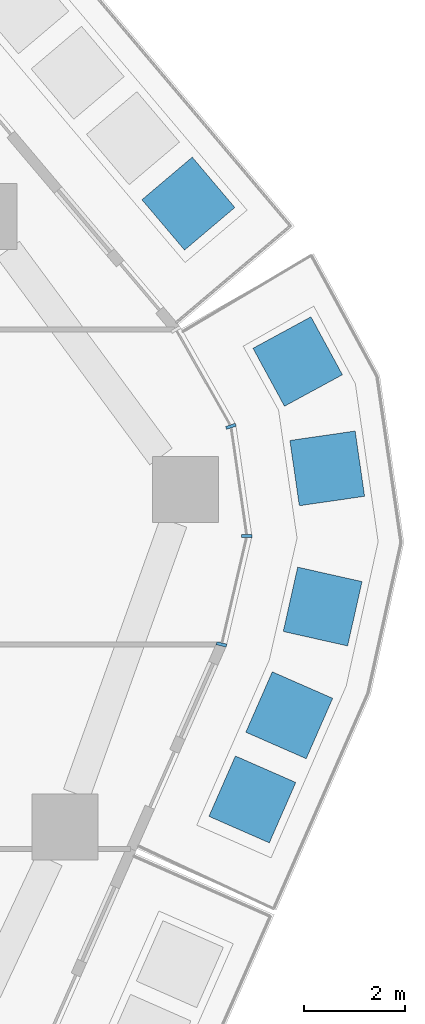
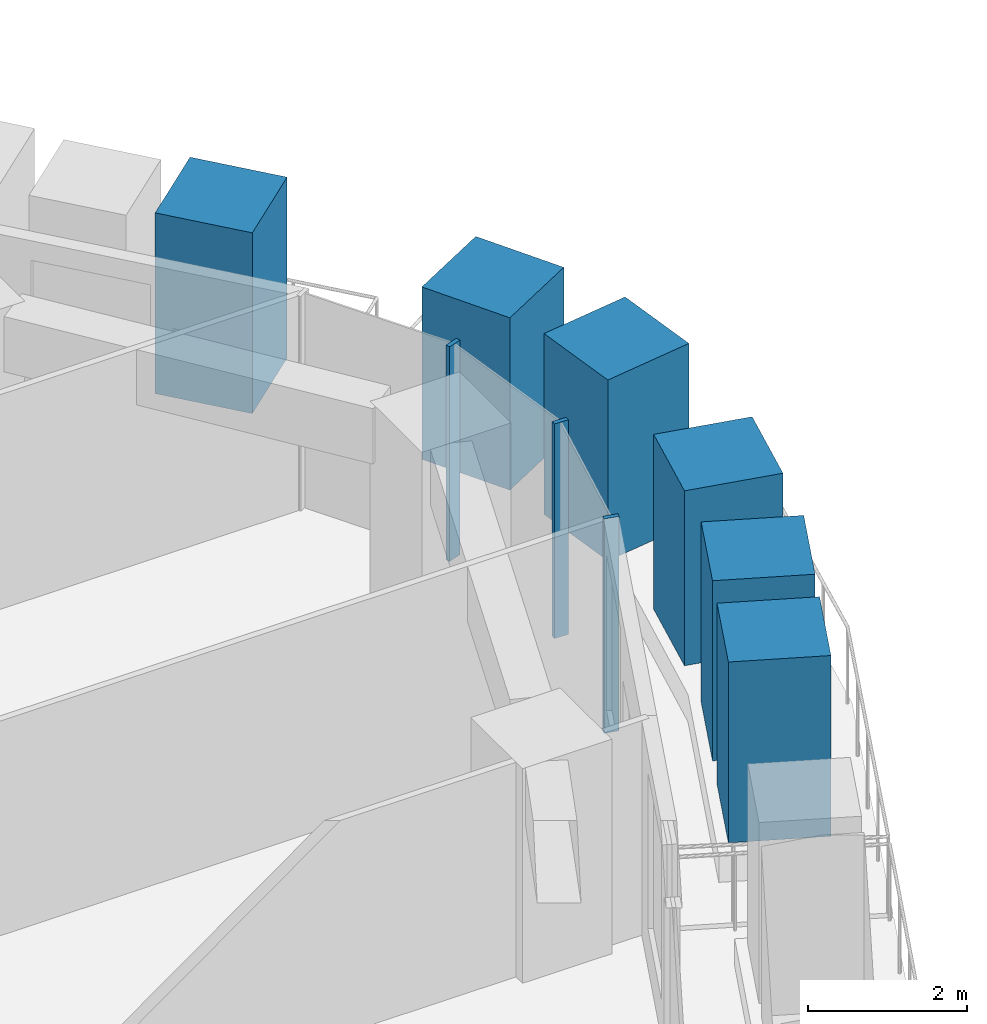
# One storey, part 9 of 24: 9 members, 1 element without a shape of its own.
"""IFC4 building model written with IfcOpenShell, lengths in metres."""

import ifcopenshell
import ifcopenshell.guid

model = None  # the IFC model being written
_history = None  # IfcOwnerHistory: only IFC2X3 demands one
_inside = {}  # id of a spatial element -> (the spatial element, [elements in it])
_under = {}  # id of a project, library or spatial element -> (it, [spatial elements below it])
_declared = {}  # id of a project -> (the project, [libraries it declares])
_typed = {}  # id of a type object -> (the type object, [elements of that type])
_made_of = {}  # id of a material, layer set ... -> (it, [elements and type objects made of it])


def new_model(schema):
    """Start an empty IFC model of exactly this schema.

    Asked for "IFC4X3", IfcOpenShell would pick the latest addendum, in which some entities
    have other attributes; the version numbers below select the first issue.
    IFC2X3 requires an IfcOwnerHistory on every rooted entity: one is made here for all.
    """
    global model, _history
    if schema == "IFC4X3":
        model = ifcopenshell.file(schema_version=(4, 3, 0, 0))
    else:
        model = ifcopenshell.file(schema=schema)
    _inside.clear()
    _under.clear()
    _declared.clear()
    _typed.clear()
    _made_of.clear()
    _history = None
    if model.schema == "IFC2X3":
        org = make("IfcOrganization", Name="unknown")
        user = make(
            "IfcPersonAndOrganization",
            ThePerson=make("IfcPerson", FamilyName="unknown"),
            TheOrganization=org,
        )
        app = make(
            "IfcApplication",
            ApplicationDeveloper=org,
            Version="unknown",
            ApplicationFullName="unknown",
            ApplicationIdentifier="unknown",
        )
        _history = make(
            "IfcOwnerHistory",
            OwningUser=user,
            OwningApplication=app,
            ChangeAction="ADDED",
            CreationDate=0,
        )
    return model


def make(cls, **values):
    """One entity of the class cls with the attributes given. An attribute that is None is left unset."""
    return model.create_entity(
        cls, **{name: value for name, value in values.items() if value is not None}
    )


def rooted(cls, **values):
    """An entity with a GlobalId (a new one), such as an element, a storey or a relation."""
    return make(cls, GlobalId=ifcopenshell.guid.new(), OwnerHistory=_history, **values)


def si_unit(unit_type, name, prefix=None):
    """IfcSIUnit, for example si_unit("LENGTHUNIT", "METRE", prefix="MILLI")."""
    return make("IfcSIUnit", UnitType=unit_type, Prefix=prefix, Name=name)


def assignment(units):
    """IfcUnitAssignment: the units of a project."""
    return None if units is None else make("IfcUnitAssignment", Units=units)


def point(xyz):
    """IfcCartesianPoint."""
    return None if xyz is None else make("IfcCartesianPoint", Coordinates=xyz)


def direction(xyz):
    """IfcDirection."""
    return None if xyz is None else make("IfcDirection", DirectionRatios=xyz)


def frame(location, z_axis=None, x_axis=None):
    """IfcAxis2Placement3D, a coordinate frame: its origin and axes. An axis left out is left unset."""
    return make(
        "IfcAxis2Placement3D",
        Location=point(location),
        Axis=direction(z_axis),
        RefDirection=direction(x_axis),
    )


def frame_2d(location, x_axis=None):
    """IfcAxis2Placement2D, a coordinate frame in the plane: its origin and x axis."""
    return make(
        "IfcAxis2Placement2D", Location=point(location), RefDirection=direction(x_axis)
    )


def origin():
    """The frame at (0, 0, 0) with its axes left unset."""
    return frame((0.0, 0.0, 0.0))


def origin_2d():
    """The frame at (0, 0) in the plane with its x axis left unset."""
    return frame_2d((0.0, 0.0))


def place(relative_to, where):
    """IfcLocalPlacement: puts the frame where relative to a parent placement (None: the world)."""
    return make(
        "IfcLocalPlacement", PlacementRelTo=relative_to, RelativePlacement=where
    )


def context(
    kind, dimensions, precision=None, world=None, true_north=None, identifier=None
):
    """IfcGeometricRepresentationContext, for example the 3D "Model" context."""
    return make(
        "IfcGeometricRepresentationContext",
        ContextIdentifier=identifier,
        ContextType=kind,
        CoordinateSpaceDimension=dimensions,
        Precision=precision,
        WorldCoordinateSystem=world,
        TrueNorth=true_north,
    )


def subcontext(parent, identifier, kind, view, scale=None):
    """IfcGeometricRepresentationSubContext, for example "Body" below "Model"."""
    return make(
        "IfcGeometricRepresentationSubContext",
        ContextIdentifier=identifier,
        ContextType=kind,
        ParentContext=parent,
        TargetScale=scale,
        TargetView=view,
    )


def project(units=None, contexts=None):
    """IfcProject with its units and contexts."""
    return rooted(
        "IfcProject",
        Name="project",
        RepresentationContexts=contexts,
        UnitsInContext=assignment(units),
    )


def spatial(cls, under=None, at=None, **own):
    """A site, building, storey or space (cls), placed at a placement, below another one or the project."""
    s = rooted(cls, ObjectPlacement=at, **own)
    if under is not None:
        _under.setdefault(under.id(), (under, []))[1].append(s)
    return s


def profile(cls, at=None, kind="AREA", **sizes):
    """A parametric profile (cls). Its sizes go by their IFC names, for example OverallWidth=200.0."""
    return make(cls, ProfileType=kind, Position=at, **sizes)


def rectangle(**sizes):
    """IfcRectangleProfileDef."""
    return profile("IfcRectangleProfileDef", **sizes)


def extrude(swept, where, along, depth):
    """IfcExtrudedAreaSolid: the profile swept, set in the frame where, extruded along a direction by depth."""
    return make(
        "IfcExtrudedAreaSolid",
        SweptArea=swept,
        Position=where,
        ExtrudedDirection=direction(along),
        Depth=depth,
    )


def shape(context_of_items, identifier, shape_type, items):
    """IfcShapeRepresentation: the items that make up one representation, for example the "Body"."""
    return make(
        "IfcShapeRepresentation",
        ContextOfItems=context_of_items,
        RepresentationIdentifier=identifier,
        RepresentationType=shape_type,
        Items=items,
    )


def material(Name=None, Category=None):
    """IfcMaterial."""
    return make("IfcMaterial", Name=Name, Category=Category)


def layer(
    of_material, thickness, ventilated=None, Name=None, Category=None, Priority=None
):
    """IfcMaterialLayer: one layer of a wall or slab, of a material (None: an air gap)."""
    return make(
        "IfcMaterialLayer",
        Material=of_material,
        LayerThickness=thickness,
        IsVentilated=ventilated,
        Name=Name,
        Category=Category,
        Priority=Priority,
    )


def layer_set(layers, Name=None):
    """IfcMaterialLayerSet."""
    return make("IfcMaterialLayerSet", MaterialLayers=layers, LayerSetName=Name)


def material_profile(
    of_material, cross_section, Name=None, Category=None, Priority=None
):
    """IfcMaterialProfile: a cross section and its material."""
    return make(
        "IfcMaterialProfile",
        Name=Name,
        Material=of_material,
        Profile=cross_section,
        Priority=Priority,
        Category=Category,
    )


def profile_set(profiles, Name=None, composite=None):
    """IfcMaterialProfileSet."""
    return make(
        "IfcMaterialProfileSet",
        Name=Name,
        MaterialProfiles=profiles,
        CompositeProfile=composite,
    )


def made_of(thing, what):
    """Note that an element or type object is made of a material, layer set ...; save() writes the relation."""
    if what is not None:
        _made_of.setdefault(what.id(), (what, []))[1].append(thing)
    return thing


def type_object(cls, material=None, **own):
    """A type object (cls), such as IfcWallType, which elements share."""
    return made_of(rooted(cls, **own), material)


def element(
    cls,
    number,
    at=None,
    inside=None,
    cuts=None,
    type_object=None,
    material=None,
    context=None,
    identifier="Body",
    shape_type=None,
    held_by="IfcProductDefinitionShape",
    body=None,
    shapes=None,
    **own,
):
    """One element of the class cls, such as IfcWall. Its Tag is "e" and its number.

    at: its placement. inside: the storey or other place that contains it. cuts: it is an
    opening in that element (IfcRelVoidsElement). A single representation is given by context,
    identifier, shape_type and body (its items); several are given by shapes. held_by: the class
    of the entity that holds the representations. save() writes the other relations.
    """
    e = rooted(cls, Tag="e%d" % number, ObjectPlacement=at, **own)
    if body is not None:
        shapes = [shape(context, identifier, shape_type, body)]
    if shapes is not None:
        e.Representation = make(held_by, Representations=shapes)
    if inside is not None:
        _inside.setdefault(inside.id(), (inside, []))[1].append(e)
    if cuts is not None:
        rooted(
            "IfcRelVoidsElement", RelatingBuildingElement=cuts, RelatedOpeningElement=e
        )
    if type_object is not None:
        _typed.setdefault(type_object.id(), (type_object, []))[1].append(e)
    return made_of(e, material)


def aggregate(whole, parts):
    """IfcRelAggregates: a whole, such as a stair, and the parts it consists of."""
    return rooted("IfcRelAggregates", RelatingObject=whole, RelatedObjects=parts)


def save(model, path):
    """Write the relations noted so far, then the file.

    IfcRelAggregates (storeys below a building ...), IfcRelContainedInSpatialStructure (elements
    in a storey), IfcRelDefinesByType, IfcRelAssociatesMaterial and IfcRelDeclares: one each for
    every whole, place, type object, material and project.
    """
    for whole, parts in _under.values():
        aggregate(whole, parts)
    for where, things in _inside.values():
        rooted(
            "IfcRelContainedInSpatialStructure",
            RelatedElements=things,
            RelatingStructure=where,
        )
    for kind, things in _typed.values():
        rooted("IfcRelDefinesByType", RelatedObjects=things, RelatingType=kind)
    for what, things in _made_of.values():
        rooted("IfcRelAssociatesMaterial", RelatedObjects=things, RelatingMaterial=what)
    for by, libraries in _declared.values():
        rooted("IfcRelDeclares", RelatingContext=by, RelatedDefinitions=libraries)
    model.write(path)


model = new_model("IFC4")

# Units and contexts
model_context = context("Model", 3, precision=1e-05, world=origin(), true_north=direction((0.0, 1.0)))
body_context = subcontext(model_context, "Body", "Model", "MODEL_VIEW")
ifc_project = project(units=[si_unit("LENGTHUNIT", "METRE"), si_unit("AREAUNIT", "SQUARE_METRE"), si_unit("VOLUMEUNIT", "CUBIC_METRE"), si_unit("PLANEANGLEUNIT", "RADIAN"), si_unit("MASSUNIT", "GRAM", prefix="KILO")], contexts=[model_context])

# Site, building, storey
site_placement = place(None, origin())
site = spatial("IfcSite", under=ifc_project, at=site_placement, CompositionType="ELEMENT")
building_placement = place(site_placement, origin())
building = spatial("IfcBuilding", under=site, at=building_placement, Name="Dongbaek Canopy Tower", CompositionType="ELEMENT")
storey_placement = place(building_placement, frame((0.0, 0.0, 106.300048828125)))
storey = spatial("IfcBuildingStorey", under=building, at=storey_placement, Name="L22", CompositionType="ELEMENT", Elevation=106.300048828125)

# Curtain wall, members
ifc_material_1 = material(Name="Aluminium 6063-T6 pale anodised", Category="aluminium")
ifc_layer = layer(ifc_material_1, 0.199951171875)
ifc_layer_set = layer_set([ifc_layer], Name="CW-1 unitised tower curtain wall")
curtain_wall_type = type_object("IfcCurtainWallType", Name="CW-1 unitised tower curtain wall", PredefinedType="NOTDEFINED", material=ifc_layer_set)
curtain_wall_placement = place(storey_placement, origin())
curtain_wall = element("IfcCurtainWall", 1, at=curtain_wall_placement, inside=storey, type_object=curtain_wall_type, Name="CW-1 curtain wall K0.1", PredefinedType="NOTDEFINED")
ifc_material_2 = material(Name="Aluminium 6063-T6 pale anodised", Category="aluminium")
ifc_material_profile_1 = material_profile(ifc_material_2, rectangle(XDim=0.199951171875, YDim=0.06005859375, at=origin_2d()), Name="CW-1 mullion 60 x 200")
ifc_profile_set_1 = profile_set([ifc_material_profile_1], Name="Aluminium 6063-T6 pale anodised")
member_type_1 = type_object("IfcMemberType", Name="CW-1 mullion 60 x 200", PredefinedType="MULLION", material=ifc_profile_set_1)
member_1_placement = place(storey_placement, frame((30.52392578125, 3.428955078125, 0.0), z_axis=(0.0, 0.0, 1.0), x_axis=(0.973926640622, -0.226863171729, 0.0)))
member_1 = element("IfcMember", 2, at=member_1_placement, type_object=member_type_1, Name="CW-1 mullion K0.1.1", PredefinedType="MULLION", context=body_context, shape_type="SweptSolid", body=[
    extrude(rectangle(XDim=0.199951171875, YDim=0.06005859375, at=origin_2d()), origin(), (0.0, 0.0, 1.0), 3.300048828125),
])
member_2_placement = place(storey_placement, frame((31.021728515625, 5.565673828125, 0.0), z_axis=(0.0, 0.0, 1.0), x_axis=(0.999092616209, -0.042590424237, 0.0)))
member_2 = element("IfcMember", 3, at=member_2_placement, type_object=member_type_1, Name="CW-1 mullion K0.1.2", PredefinedType="MULLION", context=body_context, shape_type="SweptSolid", body=[
    extrude(rectangle(XDim=0.199951171875, YDim=0.06005859375, at=origin_2d()), origin(), (0.0, 0.0, 1.0), 3.300048828125),
])
member_3_placement = place(storey_placement, frame((30.708984375, 7.7275390625, 0.0), z_axis=(0.0, 0.0, 1.0), x_axis=(0.946074291916, 0.323949740201, 0.0)))
member_3 = element("IfcMember", 4, at=member_3_placement, type_object=member_type_1, Name="CW-1 mullion K0.1.3", PredefinedType="MULLION", context=body_context, shape_type="SweptSolid", body=[
    extrude(rectangle(XDim=0.199951171875, YDim=0.06005859375, at=origin_2d()), origin(), (0.0, 0.0, 1.0), 3.300048828125),
])
aggregate(curtain_wall, [member_1, member_2, member_3])

# Members
ifc_material_3 = material(Name="Concrete C40/50 planter mass with planting", Category="concrete")
ifc_material_profile_2 = material_profile(ifc_material_3, rectangle(XDim=1.300048828125, YDim=1.300048828125, at=origin_2d()), Name="Terrace PLANTER shrub mass 1300 x 1300")
ifc_profile_set_2 = profile_set([ifc_material_profile_2], Name="Concrete C40/50 planter mass with planting")
member_type_2 = type_object("IfcMemberType", Name="Terrace PLANTER shrub mass 1300 x 1300", PredefinedType="USERDEFINED", material=ifc_profile_set_2)
for number, where, z_axis, x_axis, name in (
    (5, (29.871337890625, 12.11669921875, 0.419921875), (0.0, 0.0, 1.0), (0.763289924972, 0.646056104712, 0.0), "Planter shrubs L22 1.1"),
    (6, (31.132080078125, 0.374755859375, 0.419921875), (0.0, 0.0, 1.0), (0.915886374984, -0.401437601775, 0.0), "Planter shrubs L22 6.1"),
):
    element("IfcMember", number, at=place(storey_placement, frame(where, z_axis=z_axis, x_axis=x_axis)), inside=storey, type_object=member_type_2, Name=name, ObjectType="PLANTER", PredefinedType="USERDEFINED", context=body_context, shape_type="SweptSolid", body=[
        extrude(rectangle(XDim=1.300048828125, YDim=1.300048828125, at=origin_2d()), origin(), (0.0, 0.0, 1.0), 2.780029296875),
    ])
member_4_placement = place(storey_placement, frame((31.85888671875, 2.033203125, 0.419921875), z_axis=(0.0, 0.0, 1.0), x_axis=(0.915886374984, -0.401437601775, 0.0)))
element("IfcMember", 7, at=member_4_placement, inside=storey, type_object=member_type_2, Name="Planter shrubs L22 6.2", ObjectType="PLANTER", PredefinedType="USERDEFINED", context=body_context, shape_type="SweptSolid", body=[
    extrude(rectangle(XDim=1.300048828125, YDim=1.300048828125, at=origin_2d()), origin(), (0.0, 0.0, 1.0), 2.77001953125),
])
member_5_placement = place(storey_placement, frame((32.51708984375, 4.17578125, 0.419921875), z_axis=(0.0, 0.0, 1.0), x_axis=(0.975740218309, -0.21893155637, 0.0)))
element("IfcMember", 8, at=member_5_placement, inside=storey, type_object=member_type_2, Name="Planter shrubs L22 6.3", ObjectType="PLANTER", PredefinedType="USERDEFINED", context=body_context, shape_type="SweptSolid", body=[
    extrude(rectangle(XDim=1.300048828125, YDim=1.300048828125, at=origin_2d()), origin(), (0.0, 0.0, 1.0), 2.68994140625),
])
member_6_placement = place(storey_placement, frame((32.60791015625, 6.898681640625, 0.419921875), z_axis=(0.0, 0.0, 1.0), x_axis=(0.989700206201, 0.143155516293, 0.0)))
element("IfcMember", 9, at=member_6_placement, inside=storey, type_object=member_type_2, Name="Planter shrubs L22 6.4", ObjectType="PLANTER", PredefinedType="USERDEFINED", context=body_context, shape_type="SweptSolid", body=[
    extrude(rectangle(XDim=1.300048828125, YDim=1.300048828125, at=origin_2d()), origin(), (0.0, 0.0, 1.0), 2.780029296875),
])
member_7_placement = place(storey_placement, frame((32.025634765625, 9.004638671875, 0.419921875), z_axis=(0.0, 0.0, 1.0), x_axis=(0.878675212962, 0.477420014375, 0.0)))
element("IfcMember", 10, at=member_7_placement, inside=storey, type_object=member_type_2, Name="Planter shrubs L22 6.5", ObjectType="PLANTER", PredefinedType="USERDEFINED", context=body_context, shape_type="SweptSolid", body=[
    extrude(rectangle(XDim=1.300048828125, YDim=1.300048828125, at=origin_2d()), origin(), (0.0, 0.0, 1.0), 2.650146484375),
])

save(model, "model.ifc")
